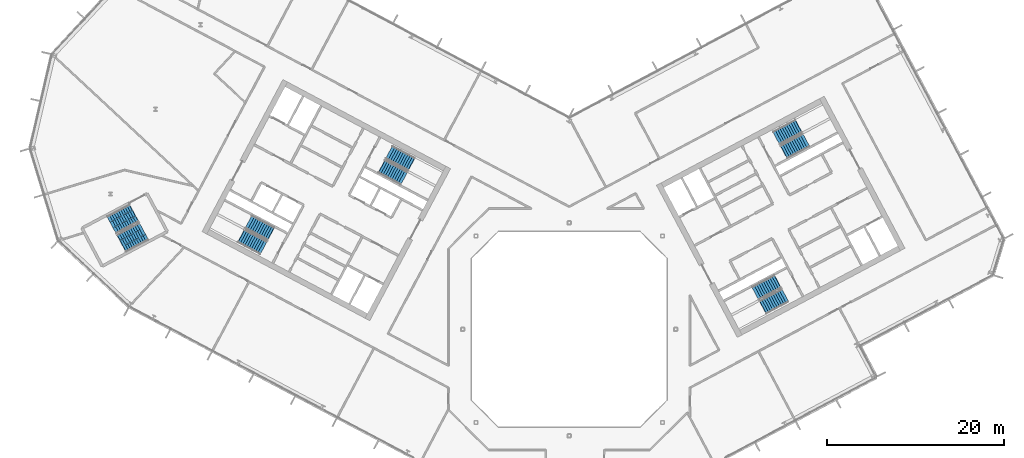
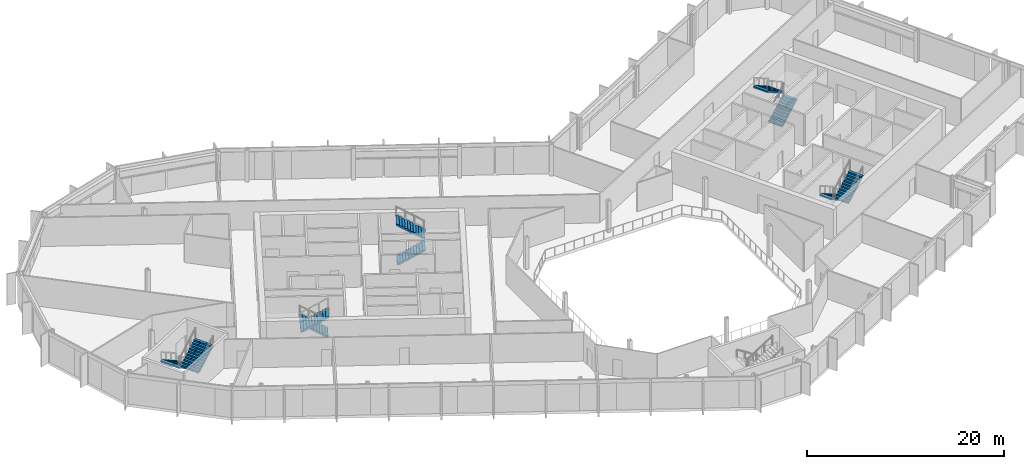
# One storey, part 18 of 27: 10 stair flights, 5 elements without a shape of their own.
"""IFC4 building model written with IfcOpenShell, lengths in metres."""

from ifc_helpers import new_model, si_unit, direction, frame, origin, place, context, subcontext, project, spatial, polyline, outline, extrude, material, type_object, element, aggregate, save


model = new_model("IFC4")

# Units and contexts
model_context = context("Model", 3, precision=1e-05, world=origin(), true_north=direction((0.0, 1.0)))
body_context = subcontext(model_context, "Body", "Model", "MODEL_VIEW")
ifc_project = project(units=[si_unit("LENGTHUNIT", "METRE"), si_unit("AREAUNIT", "SQUARE_METRE"), si_unit("VOLUMEUNIT", "CUBIC_METRE"), si_unit("PLANEANGLEUNIT", "RADIAN"), si_unit("MASSUNIT", "GRAM", prefix="KILO")], contexts=[model_context])

# Site, building, storey
site_placement = place(None, origin())
site = spatial("IfcSite", under=ifc_project, at=site_placement, CompositionType="ELEMENT")
building_placement = place(site_placement, origin())
building = spatial("IfcBuilding", under=site, at=building_placement, Name="Cormorant Relay Tower", CompositionType="ELEMENT")
storey_placement = place(building_placement, frame((0.0, 0.0, 232.5)))
storey = spatial("IfcBuildingStorey", under=building, at=storey_placement, Name="L51", CompositionType="ELEMENT", Elevation=232.5)

# Stair, stair flights
ifc_material_1 = material(Name="Concrete 40 MPa", Category="concrete")
stair_type_1 = type_object("IfcStairType", Name="Exit stair 1500", PredefinedType="HALF_TURN_STAIR", material=ifc_material_1)
stair_1_placement = place(storey_placement, origin())
stair_1 = element("IfcStair", 1, at=stair_1_placement, inside=storey, type_object=stair_type_1, Name="L51 Stair", PredefinedType="HALF_TURN_STAIR")
ifc_material_2 = material(Name="Concrete 40 MPa", Category="concrete")
stair_flight_type_1 = type_object("IfcStairFlightType", Name="Exit stair flight 1650", PredefinedType="STRAIGHT", material=ifc_material_2)
stair_flight_1_placement = place(storey_placement, frame((-21.114501953125, 18.33349609375, 0.0), z_axis=(0.0, 0.0, 1.0), x_axis=(0.882947592859, -0.469471562786, 0.0)))
stair_flight_1 = element("IfcStairFlight", 2, at=stair_flight_1_placement, type_object=stair_flight_type_1, Name="A1 flight 1", NumberOfRisers=11, NumberOfTreads=10, PredefinedType="STRAIGHT", RiserHeight=0.177272727, TreadLength=0.28, context=body_context, shape_type="SweptSolid", body=[
    extrude(outline(polyline([(-0.050048828125, -0.080078125), (-0.050048828125, 0.0), (0.0, 0.0), (0.0, 0.17724609375), (0.280029296875, 0.17724609375), (0.280029296875, 0.3544921875), (0.56005859375, 0.3544921875), (0.56005859375, 0.53173828125), (0.840087890625, 0.53173828125), (0.840087890625, 0.708984375), (1.1201171875, 0.708984375), (1.1201171875, 0.886474609375), (1.39990234375, 0.886474609375), (1.39990234375, 1.063720703125), (1.679931640625, 1.063720703125), (1.679931640625, 1.240966796875), (1.9599609375, 1.240966796875), (1.9599609375, 1.418212890625), (2.239990234375, 1.418212890625), (2.239990234375, 1.595458984375), (2.52001953125, 1.595458984375), (2.52001953125, 1.772705078125), (2.800048828125, 1.772705078125), (2.85009765625, 1.772705078125), (2.85009765625, 1.59521484375), (2.800048828125, 1.59521484375), (0.2802734375, 0.0), (-0.050048828125, -0.080078125)])), frame((0.0, 0.824951171875, 0.0), z_axis=(0.0, -1.0, 0.0), x_axis=(1.0, 0.0, 0.0)), (0.0, 0.0, 1.0), 1.64990234375),
])
stair_flight_2_placement = place(storey_placement, frame((-17.797119140625, 18.6083984375, 1.949951171875), z_axis=(0.0, 0.0, 1.0), x_axis=(-0.882947592859, 0.469471562786, 0.0)))
stair_flight_2 = element("IfcStairFlight", 3, at=stair_flight_2_placement, type_object=stair_flight_type_1, Name="A1 flight 2", NumberOfRisers=11, NumberOfTreads=10, PredefinedType="STRAIGHT", RiserHeight=0.177272727, TreadLength=0.28, context=body_context, shape_type="SweptSolid", body=[
    extrude(outline(polyline([(-0.050048828125, -0.080078125), (-0.050048828125, 0.0), (0.0, 0.0), (0.0, 0.17724609375), (0.280029296875, 0.17724609375), (0.280029296875, 0.3544921875), (0.56005859375, 0.3544921875), (0.56005859375, 0.53173828125), (0.840087890625, 0.53173828125), (0.840087890625, 0.708984375), (1.1201171875, 0.708984375), (1.1201171875, 0.886474609375), (1.39990234375, 0.886474609375), (1.39990234375, 1.063720703125), (1.679931640625, 1.063720703125), (1.679931640625, 1.240966796875), (1.9599609375, 1.240966796875), (1.9599609375, 1.418212890625), (2.239990234375, 1.418212890625), (2.239990234375, 1.595458984375), (2.52001953125, 1.595458984375), (2.52001953125, 1.772705078125), (2.800048828125, 1.772705078125), (2.85009765625, 1.772705078125), (2.85009765625, 1.59521484375), (2.800048828125, 1.59521484375), (0.2802734375, 0.0), (-0.050048828125, -0.080078125)])), frame((0.0, 0.824951171875, 0.0), z_axis=(0.0, -1.0, 0.0), x_axis=(1.0, 0.0, 0.0)), (0.0, 0.0, 1.0), 1.64990234375),
])
aggregate(stair_1, [stair_flight_1, stair_flight_2])

stair_2_placement = place(storey_placement, origin())
stair_2 = element("IfcStair", 4, at=stair_2_placement, inside=storey, type_object=stair_type_1, Name="L51 Stair", PredefinedType="HALF_TURN_STAIR")
stair_flight_3_placement = place(storey_placement, frame((-33.62841796875, 10.773681640625, 0.0), z_axis=(0.0, 0.0, 1.0), x_axis=(-0.882947592859, 0.469471562786, 0.0)))
stair_flight_3 = element("IfcStairFlight", 5, at=stair_flight_3_placement, type_object=stair_flight_type_1, Name="A2 flight 1", NumberOfRisers=11, NumberOfTreads=10, PredefinedType="STRAIGHT", RiserHeight=0.177272727, TreadLength=0.28, context=body_context, shape_type="SweptSolid", body=[
    extrude(outline(polyline([(-0.050048828125, -0.080078125), (-0.050048828125, 0.0), (0.0, 0.0), (0.0, 0.17724609375), (0.280029296875, 0.17724609375), (0.280029296875, 0.3544921875), (0.56005859375, 0.3544921875), (0.56005859375, 0.53173828125), (0.840087890625, 0.53173828125), (0.840087890625, 0.708984375), (1.1201171875, 0.708984375), (1.1201171875, 0.886474609375), (1.39990234375, 0.886474609375), (1.39990234375, 1.063720703125), (1.679931640625, 1.063720703125), (1.679931640625, 1.240966796875), (1.9599609375, 1.240966796875), (1.9599609375, 1.418212890625), (2.239990234375, 1.418212890625), (2.239990234375, 1.595458984375), (2.52001953125, 1.595458984375), (2.52001953125, 1.772705078125), (2.800048828125, 1.772705078125), (2.85009765625, 1.772705078125), (2.85009765625, 1.59521484375), (2.800048828125, 1.59521484375), (0.2802734375, 0.0), (-0.050048828125, -0.080078125)])), frame((0.0, 0.824951171875, 0.0), z_axis=(0.0, -1.0, 0.0), x_axis=(1.0, 0.0, 0.0)), (0.0, 0.0, 1.0), 1.64990234375),
])
stair_flight_4_placement = place(storey_placement, frame((-36.945556640625, 10.498779296875, 1.949951171875), z_axis=(0.0, 0.0, 1.0), x_axis=(0.882947592859, -0.469471562786, 0.0)))
stair_flight_4 = element("IfcStairFlight", 6, at=stair_flight_4_placement, type_object=stair_flight_type_1, Name="A2 flight 2", NumberOfRisers=11, NumberOfTreads=10, PredefinedType="STRAIGHT", RiserHeight=0.177272727, TreadLength=0.28, context=body_context, shape_type="SweptSolid", body=[
    extrude(outline(polyline([(-0.050048828125, -0.080078125), (-0.050048828125, 0.0), (0.0, 0.0), (0.0, 0.17724609375), (0.280029296875, 0.17724609375), (0.280029296875, 0.3544921875), (0.56005859375, 0.3544921875), (0.56005859375, 0.53173828125), (0.840087890625, 0.53173828125), (0.840087890625, 0.708984375), (1.1201171875, 0.708984375), (1.1201171875, 0.886474609375), (1.39990234375, 0.886474609375), (1.39990234375, 1.063720703125), (1.679931640625, 1.063720703125), (1.679931640625, 1.240966796875), (1.9599609375, 1.240966796875), (1.9599609375, 1.418212890625), (2.239990234375, 1.418212890625), (2.239990234375, 1.595458984375), (2.52001953125, 1.595458984375), (2.52001953125, 1.772705078125), (2.800048828125, 1.772705078125), (2.85009765625, 1.772705078125), (2.85009765625, 1.59521484375), (2.800048828125, 1.59521484375), (0.2802734375, 0.0), (-0.050048828125, -0.080078125)])), frame((0.0, 0.824951171875, 0.0), z_axis=(0.0, -1.0, 0.0), x_axis=(1.0, 0.0, 0.0)), (0.0, 0.0, 1.0), 1.64990234375),
])
aggregate(stair_2, [stair_flight_3, stair_flight_4])

stair_3_placement = place(storey_placement, origin())
stair_3 = element("IfcStair", 7, at=stair_3_placement, inside=storey, type_object=stair_type_1, Name="L51 Stair", PredefinedType="HALF_TURN_STAIR")
stair_flight_5_placement = place(storey_placement, frame((23.474365234375, 5.374755859375, 0.0), z_axis=(0.0, 0.0, 1.0), x_axis=(-0.882947592859, -0.469471562786, 0.0)))
stair_flight_5 = element("IfcStairFlight", 8, at=stair_flight_5_placement, type_object=stair_flight_type_1, Name="B1 flight 1", NumberOfRisers=11, NumberOfTreads=10, PredefinedType="STRAIGHT", RiserHeight=0.177272727, TreadLength=0.28, context=body_context, shape_type="SweptSolid", body=[
    extrude(outline(polyline([(-0.050048828125, -0.080078125), (-0.050048828125, 0.0), (0.0, 0.0), (0.0, 0.17724609375), (0.280029296875, 0.17724609375), (0.280029296875, 0.3544921875), (0.56005859375, 0.3544921875), (0.56005859375, 0.53173828125), (0.840087890625, 0.53173828125), (0.840087890625, 0.708984375), (1.1201171875, 0.708984375), (1.1201171875, 0.886474609375), (1.39990234375, 0.886474609375), (1.39990234375, 1.063720703125), (1.679931640625, 1.063720703125), (1.679931640625, 1.240966796875), (1.9599609375, 1.240966796875), (1.9599609375, 1.418212890625), (2.239990234375, 1.418212890625), (2.239990234375, 1.595458984375), (2.52001953125, 1.595458984375), (2.52001953125, 1.772705078125), (2.800048828125, 1.772705078125), (2.85009765625, 1.772705078125), (2.85009765625, 1.59521484375), (2.800048828125, 1.59521484375), (0.2802734375, 0.0), (-0.050048828125, -0.080078125)])), frame((0.0, 0.824951171875, 0.0), z_axis=(0.0, -1.0, 0.0), x_axis=(1.0, 0.0, 0.0)), (0.0, 0.0, 1.0), 1.64990234375),
])
stair_flight_6_placement = place(storey_placement, frame((21.84716796875, 2.470947265625, 1.949951171875), z_axis=(0.0, 0.0, 1.0), x_axis=(0.882947592859, 0.469471562786, 0.0)))
stair_flight_6 = element("IfcStairFlight", 9, at=stair_flight_6_placement, type_object=stair_flight_type_1, Name="B1 flight 2", NumberOfRisers=11, NumberOfTreads=10, PredefinedType="STRAIGHT", RiserHeight=0.177272727, TreadLength=0.28, context=body_context, shape_type="SweptSolid", body=[
    extrude(outline(polyline([(-0.050048828125, -0.080078125), (-0.050048828125, 0.0), (0.0, 0.0), (0.0, 0.17724609375), (0.280029296875, 0.17724609375), (0.280029296875, 0.3544921875), (0.56005859375, 0.3544921875), (0.56005859375, 0.53173828125), (0.840087890625, 0.53173828125), (0.840087890625, 0.708984375), (1.1201171875, 0.708984375), (1.1201171875, 0.886474609375), (1.39990234375, 0.886474609375), (1.39990234375, 1.063720703125), (1.679931640625, 1.063720703125), (1.679931640625, 1.240966796875), (1.9599609375, 1.240966796875), (1.9599609375, 1.418212890625), (2.239990234375, 1.418212890625), (2.239990234375, 1.595458984375), (2.52001953125, 1.595458984375), (2.52001953125, 1.772705078125), (2.800048828125, 1.772705078125), (2.85009765625, 1.772705078125), (2.85009765625, 1.59521484375), (2.800048828125, 1.59521484375), (0.2802734375, 0.0), (-0.050048828125, -0.080078125)])), frame((0.0, 0.824951171875, 0.0), z_axis=(0.0, -1.0, 0.0), x_axis=(1.0, 0.0, 0.0)), (0.0, 0.0, 1.0), 1.64990234375),
])
aggregate(stair_3, [stair_flight_5, stair_flight_6])

stair_4_placement = place(storey_placement, origin())
stair_4 = element("IfcStair", 10, at=stair_4_placement, inside=storey, type_object=stair_type_1, Name="L51 Stair", PredefinedType="HALF_TURN_STAIR")
stair_flight_7_placement = place(storey_placement, frame((24.20458984375, 19.976806640625, 0.0), z_axis=(0.0, 0.0, 1.0), x_axis=(0.882947592859, 0.469471562786, 0.0)))
stair_flight_7 = element("IfcStairFlight", 11, at=stair_flight_7_placement, type_object=stair_flight_type_1, Name="B2 flight 1", NumberOfRisers=11, NumberOfTreads=10, PredefinedType="STRAIGHT", RiserHeight=0.177272727, TreadLength=0.28, context=body_context, shape_type="SweptSolid", body=[
    extrude(outline(polyline([(-0.050048828125, -0.080078125), (-0.050048828125, 0.0), (0.0, 0.0), (0.0, 0.17724609375), (0.280029296875, 0.17724609375), (0.280029296875, 0.3544921875), (0.56005859375, 0.3544921875), (0.56005859375, 0.53173828125), (0.840087890625, 0.53173828125), (0.840087890625, 0.708984375), (1.1201171875, 0.708984375), (1.1201171875, 0.886474609375), (1.39990234375, 0.886474609375), (1.39990234375, 1.063720703125), (1.679931640625, 1.063720703125), (1.679931640625, 1.240966796875), (1.9599609375, 1.240966796875), (1.9599609375, 1.418212890625), (2.239990234375, 1.418212890625), (2.239990234375, 1.595458984375), (2.52001953125, 1.595458984375), (2.52001953125, 1.772705078125), (2.800048828125, 1.772705078125), (2.85009765625, 1.772705078125), (2.85009765625, 1.59521484375), (2.800048828125, 1.59521484375), (0.2802734375, 0.0), (-0.050048828125, -0.080078125)])), frame((0.0, 0.824951171875, 0.0), z_axis=(0.0, -1.0, 0.0), x_axis=(1.0, 0.0, 0.0)), (0.0, 0.0, 1.0), 1.64990234375),
])
stair_flight_8_placement = place(storey_placement, frame((25.831787109375, 22.880615234375, 1.949951171875), z_axis=(0.0, 0.0, 1.0), x_axis=(-0.882947592859, -0.469471562786, 0.0)))
stair_flight_8 = element("IfcStairFlight", 12, at=stair_flight_8_placement, type_object=stair_flight_type_1, Name="B2 flight 2", NumberOfRisers=11, NumberOfTreads=10, PredefinedType="STRAIGHT", RiserHeight=0.177272727, TreadLength=0.28, context=body_context, shape_type="SweptSolid", body=[
    extrude(outline(polyline([(-0.050048828125, -0.080078125), (-0.050048828125, 0.0), (0.0, 0.0), (0.0, 0.17724609375), (0.280029296875, 0.17724609375), (0.280029296875, 0.3544921875), (0.56005859375, 0.3544921875), (0.56005859375, 0.53173828125), (0.840087890625, 0.53173828125), (0.840087890625, 0.708984375), (1.1201171875, 0.708984375), (1.1201171875, 0.886474609375), (1.39990234375, 0.886474609375), (1.39990234375, 1.063720703125), (1.679931640625, 1.063720703125), (1.679931640625, 1.240966796875), (1.9599609375, 1.240966796875), (1.9599609375, 1.418212890625), (2.239990234375, 1.418212890625), (2.239990234375, 1.595458984375), (2.52001953125, 1.595458984375), (2.52001953125, 1.772705078125), (2.800048828125, 1.772705078125), (2.85009765625, 1.772705078125), (2.85009765625, 1.59521484375), (2.800048828125, 1.59521484375), (0.2802734375, 0.0), (-0.050048828125, -0.080078125)])), frame((0.0, 0.824951171875, 0.0), z_axis=(0.0, -1.0, 0.0), x_axis=(1.0, 0.0, 0.0)), (0.0, 0.0, 1.0), 1.64990234375),
])
aggregate(stair_4, [stair_flight_7, stair_flight_8])

ifc_material_3 = material(Name="Concrete 40 MPa", Category="concrete")
stair_type_2 = type_object("IfcStairType", Name="Remote exit stair 2200", PredefinedType="HALF_TURN_STAIR", material=ifc_material_3)
stair_5_placement = place(storey_placement, origin())
stair_5 = element("IfcStair", 13, at=stair_5_placement, inside=storey, type_object=stair_type_2, Name="L51 Stair", PredefinedType="HALF_TURN_STAIR")
ifc_material_4 = material(Name="Concrete 40 MPa", Category="concrete")
stair_flight_type_2 = type_object("IfcStairFlightType", Name="Remote exit stair flight 2200", PredefinedType="STRAIGHT", material=ifc_material_4)
stair_flight_9_placement = place(storey_placement, frame((-49.062255859375, 13.08251953125, 0.0), z_axis=(0.0, 0.0, 1.0), x_axis=(-0.882947502727, -0.4694717323, 0.0)))
stair_flight_9 = element("IfcStairFlight", 14, at=stair_flight_9_placement, type_object=stair_flight_type_2, Name="RP1 flight 1", NumberOfRisers=11, NumberOfTreads=10, PredefinedType="STRAIGHT", RiserHeight=0.177272727, TreadLength=0.28, context=body_context, shape_type="SweptSolid", body=[
    extrude(outline(polyline([(-0.050048828125, -0.080078125), (-0.050048828125, 0.0), (0.0, 0.0), (0.0, 0.17724609375), (0.280029296875, 0.17724609375), (0.280029296875, 0.3544921875), (0.56005859375, 0.3544921875), (0.56005859375, 0.53173828125), (0.840087890625, 0.53173828125), (0.840087890625, 0.708984375), (1.1201171875, 0.708984375), (1.1201171875, 0.886474609375), (1.39990234375, 0.886474609375), (1.39990234375, 1.063720703125), (1.679931640625, 1.063720703125), (1.679931640625, 1.240966796875), (1.9599609375, 1.240966796875), (1.9599609375, 1.418212890625), (2.239990234375, 1.418212890625), (2.239990234375, 1.595458984375), (2.52001953125, 1.595458984375), (2.52001953125, 1.772705078125), (2.800048828125, 1.772705078125), (2.85009765625, 1.772705078125), (2.85009765625, 1.59521484375), (2.800048828125, 1.59521484375), (0.2802734375, 0.0), (-0.050048828125, -0.080078125)])), frame((0.0, 1.10009765625, 0.0), z_axis=(0.0, -1.0, 0.0), x_axis=(1.0, 0.0, 0.0)), (0.0, 0.0, 1.0), 0.719970703125),
    extrude(outline(polyline([(-0.050048828125, -0.080078125), (-0.050048828125, 0.0), (0.0, 0.0), (0.0, 0.17724609375), (0.280029296875, 0.17724609375), (0.280029296875, 0.3544921875), (0.56005859375, 0.3544921875), (0.56005859375, 0.53173828125), (0.840087890625, 0.53173828125), (0.840087890625, 0.708984375), (1.1201171875, 0.708984375), (1.1201171875, 0.886474609375), (1.39990234375, 0.886474609375), (1.39990234375, 1.063720703125), (1.679931640625, 1.063720703125), (1.679931640625, 1.240966796875), (1.9599609375, 1.240966796875), (1.9599609375, 1.418212890625), (2.239990234375, 1.418212890625), (2.239990234375, 1.595458984375), (2.52001953125, 1.595458984375), (2.52001953125, 1.772705078125), (2.800048828125, 1.772705078125), (2.85009765625, 1.772705078125), (2.85009765625, 1.59521484375), (2.800048828125, 1.59521484375), (0.2802734375, 0.0), (-0.050048828125, -0.080078125)])), frame((0.0, 0.360107421875, 0.0), z_axis=(0.0, -1.0, 0.0), x_axis=(1.0, 0.0, 0.0)), (0.0, 0.0, 1.0), 0.719970703125),
    extrude(outline(polyline([(-0.050048828125, -0.080078125), (-0.050048828125, 0.0), (0.0, 0.0), (0.0, 0.17724609375), (0.280029296875, 0.17724609375), (0.280029296875, 0.3544921875), (0.56005859375, 0.3544921875), (0.56005859375, 0.53173828125), (0.840087890625, 0.53173828125), (0.840087890625, 0.708984375), (1.1201171875, 0.708984375), (1.1201171875, 0.886474609375), (1.39990234375, 0.886474609375), (1.39990234375, 1.063720703125), (1.679931640625, 1.063720703125), (1.679931640625, 1.240966796875), (1.9599609375, 1.240966796875), (1.9599609375, 1.418212890625), (2.239990234375, 1.418212890625), (2.239990234375, 1.595458984375), (2.52001953125, 1.595458984375), (2.52001953125, 1.772705078125), (2.800048828125, 1.772705078125), (2.85009765625, 1.772705078125), (2.85009765625, 1.59521484375), (2.800048828125, 1.59521484375), (0.2802734375, 0.0), (-0.050048828125, -0.080078125)])), frame((0.0, -0.3798828125, 0.0), z_axis=(0.0, -1.0, 0.0), x_axis=(1.0, 0.0, 0.0)), (0.0, 0.0, 1.0), 0.719970703125),
])
stair_flight_10_placement = place(storey_placement, frame((-50.431396484375, 9.693115234375, 1.949951171875), z_axis=(0.0, 0.0, 1.0), x_axis=(0.882947502727, 0.4694717323, 0.0)))
stair_flight_10 = element("IfcStairFlight", 15, at=stair_flight_10_placement, type_object=stair_flight_type_2, Name="RP1 flight 2", NumberOfRisers=11, NumberOfTreads=10, PredefinedType="STRAIGHT", RiserHeight=0.177272727, TreadLength=0.28, context=body_context, shape_type="SweptSolid", body=[
    extrude(outline(polyline([(-0.050048828125, -0.080078125), (-0.050048828125, 0.0), (0.0, 0.0), (0.0, 0.17724609375), (0.280029296875, 0.17724609375), (0.280029296875, 0.3544921875), (0.56005859375, 0.3544921875), (0.56005859375, 0.53173828125), (0.840087890625, 0.53173828125), (0.840087890625, 0.708984375), (1.1201171875, 0.708984375), (1.1201171875, 0.886474609375), (1.39990234375, 0.886474609375), (1.39990234375, 1.063720703125), (1.679931640625, 1.063720703125), (1.679931640625, 1.240966796875), (1.9599609375, 1.240966796875), (1.9599609375, 1.418212890625), (2.239990234375, 1.418212890625), (2.239990234375, 1.595458984375), (2.52001953125, 1.595458984375), (2.52001953125, 1.772705078125), (2.800048828125, 1.772705078125), (2.85009765625, 1.772705078125), (2.85009765625, 1.59521484375), (2.800048828125, 1.59521484375), (0.2802734375, 0.0), (-0.050048828125, -0.080078125)])), frame((0.0, 1.10009765625, 0.0), z_axis=(0.0, -1.0, 0.0), x_axis=(1.0, 0.0, 0.0)), (0.0, 0.0, 1.0), 0.719970703125),
    extrude(outline(polyline([(-0.050048828125, -0.080078125), (-0.050048828125, 0.0), (0.0, 0.0), (0.0, 0.17724609375), (0.280029296875, 0.17724609375), (0.280029296875, 0.3544921875), (0.56005859375, 0.3544921875), (0.56005859375, 0.53173828125), (0.840087890625, 0.53173828125), (0.840087890625, 0.708984375), (1.1201171875, 0.708984375), (1.1201171875, 0.886474609375), (1.39990234375, 0.886474609375), (1.39990234375, 1.063720703125), (1.679931640625, 1.063720703125), (1.679931640625, 1.240966796875), (1.9599609375, 1.240966796875), (1.9599609375, 1.418212890625), (2.239990234375, 1.418212890625), (2.239990234375, 1.595458984375), (2.52001953125, 1.595458984375), (2.52001953125, 1.772705078125), (2.800048828125, 1.772705078125), (2.85009765625, 1.772705078125), (2.85009765625, 1.59521484375), (2.800048828125, 1.59521484375), (0.2802734375, 0.0), (-0.050048828125, -0.080078125)])), frame((0.0, 0.360107421875, 0.0), z_axis=(0.0, -1.0, 0.0), x_axis=(1.0, 0.0, 0.0)), (0.0, 0.0, 1.0), 0.719970703125),
    extrude(outline(polyline([(-0.050048828125, -0.080078125), (-0.050048828125, 0.0), (0.0, 0.0), (0.0, 0.17724609375), (0.280029296875, 0.17724609375), (0.280029296875, 0.3544921875), (0.56005859375, 0.3544921875), (0.56005859375, 0.53173828125), (0.840087890625, 0.53173828125), (0.840087890625, 0.708984375), (1.1201171875, 0.708984375), (1.1201171875, 0.886474609375), (1.39990234375, 0.886474609375), (1.39990234375, 1.063720703125), (1.679931640625, 1.063720703125), (1.679931640625, 1.240966796875), (1.9599609375, 1.240966796875), (1.9599609375, 1.418212890625), (2.239990234375, 1.418212890625), (2.239990234375, 1.595458984375), (2.52001953125, 1.595458984375), (2.52001953125, 1.772705078125), (2.800048828125, 1.772705078125), (2.85009765625, 1.772705078125), (2.85009765625, 1.59521484375), (2.800048828125, 1.59521484375), (0.2802734375, 0.0), (-0.050048828125, -0.080078125)])), frame((0.0, -0.3798828125, 0.0), z_axis=(0.0, -1.0, 0.0), x_axis=(1.0, 0.0, 0.0)), (0.0, 0.0, 1.0), 0.719970703125),
])
aggregate(stair_5, [stair_flight_9, stair_flight_10])

save(model, "model.ifc")
